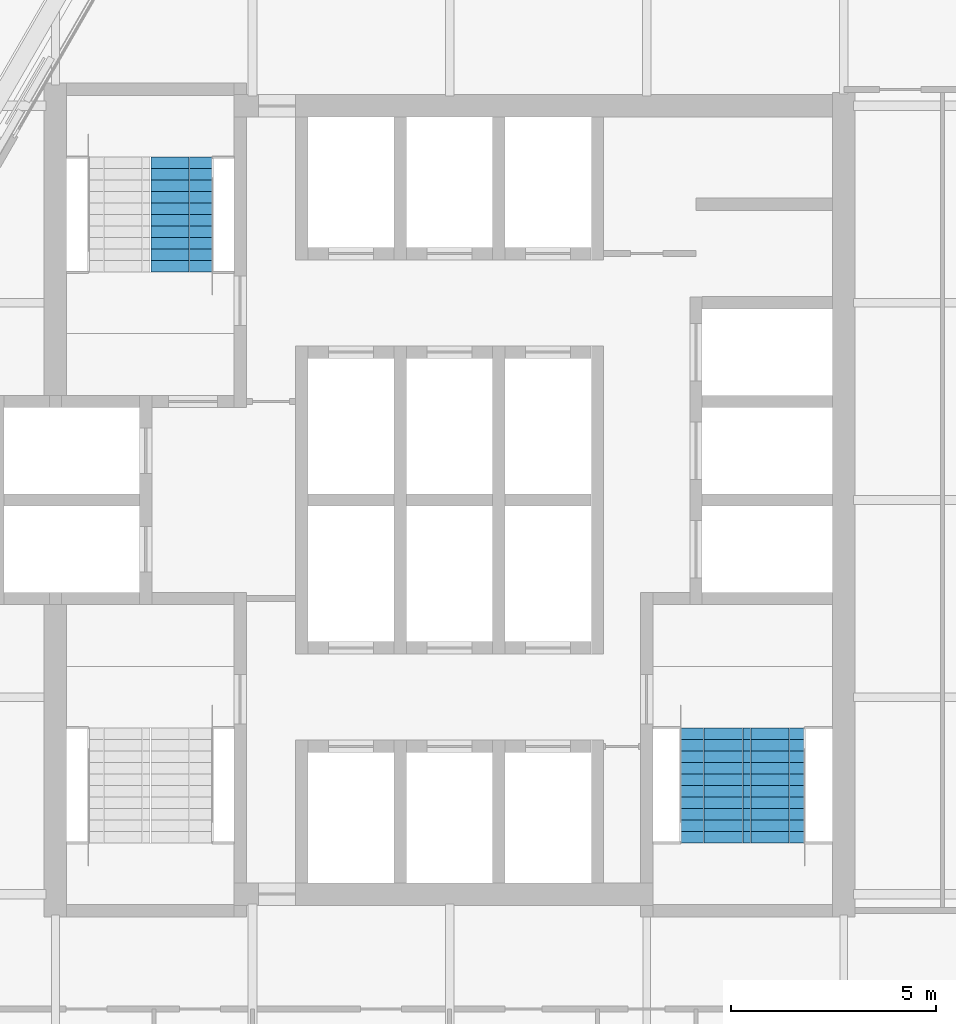
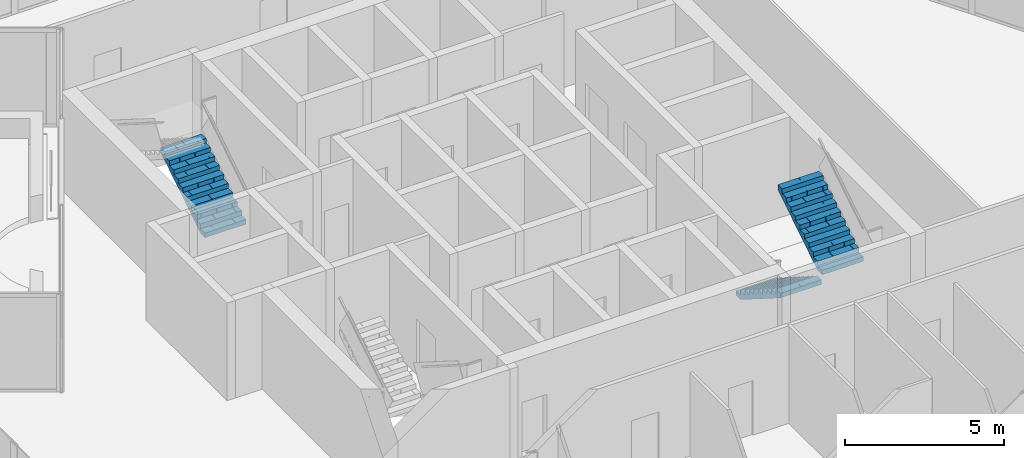
# One storey, part 14 of 16: 3 stair flights, 2 elements without a shape of their own.
"""IFC4 building model written with IfcOpenShell, lengths in metres."""

from ifc_helpers import new_model, si_unit, direction, frame, origin, place, context, subcontext, project, spatial, polyline, outline, extrude, material, type_object, element, aggregate, save


model = new_model("IFC4")

# Units and contexts
model_context = context("Model", 3, precision=1e-05, world=origin(), true_north=direction((0.0, 1.0)))
body_context = subcontext(model_context, "Body", "Model", "MODEL_VIEW")
ifc_project = project(units=[si_unit("LENGTHUNIT", "METRE"), si_unit("AREAUNIT", "SQUARE_METRE"), si_unit("VOLUMEUNIT", "CUBIC_METRE"), si_unit("PLANEANGLEUNIT", "RADIAN"), si_unit("MASSUNIT", "GRAM", prefix="KILO")], contexts=[model_context])

# Site, building, storey
site_placement = place(None, origin())
site = spatial("IfcSite", under=ifc_project, at=site_placement, CompositionType="ELEMENT")
building_placement = place(site_placement, origin())
building = spatial("IfcBuilding", under=site, at=building_placement, Name="Kolab Exchange Tower", CompositionType="ELEMENT")
storey_placement = place(building_placement, frame((0.0, 0.0, 254.0)))
storey = spatial("IfcBuildingStorey", under=building, at=storey_placement, Name="L56", CompositionType="ELEMENT", Elevation=254.0)

# Stair, stair flight
ifc_material = material(Name="Concrete C50/60", Category="concrete")
stair_type_1 = type_object("IfcStairType", Name="STAIR ST1 RISER 177.3", PredefinedType="HALF_TURN_STAIR", material=ifc_material)
stair_1_placement = place(storey_placement, origin())
stair_1 = element("IfcStair", 1, at=stair_1_placement, inside=storey, type_object=stair_type_1, Name="Stair 1", PredefinedType="HALF_TURN_STAIR")
stair_flight_type = type_object("IfcStairFlightType", Name="STAIR FLIGHT 1500 RISER 177.3", PredefinedType="STRAIGHT", material=ifc_material)
stair_flight_1_placement = place(storey_placement, frame((-6.527587890625, 5.550048828125, 0.0), z_axis=(0.0, 0.0, 1.0), x_axis=(0.0, 1.0, 0.0)))
stair_flight_1 = element("IfcStairFlight", 2, at=stair_flight_1_placement, type_object=stair_flight_type, Name="ST1 flight 1", NumberOfRisers=11, NumberOfTreads=10, PredefinedType="STRAIGHT", RiserHeight=0.177272727, TreadLength=0.28, context=body_context, shape_type="SweptSolid", body=[
    extrude(outline(polyline([(0.0, 0.0), (0.0, 0.17724609375), (0.280029296875, 0.17724609375), (0.280029296875, 0.3544921875), (0.56005859375, 0.3544921875), (0.56005859375, 0.53173828125), (0.840087890625, 0.53173828125), (0.840087890625, 0.708984375), (1.1201171875, 0.708984375), (1.1201171875, 0.886474609375), (1.39990234375, 0.886474609375), (1.39990234375, 1.063720703125), (1.679931640625, 1.063720703125), (1.679931640625, 1.240966796875), (1.9599609375, 1.240966796875), (1.9599609375, 1.418212890625), (2.239990234375, 1.418212890625), (2.239990234375, 1.595458984375), (2.52001953125, 1.595458984375), (2.52001953125, 1.772705078125), (2.800048828125, 1.772705078125), (2.800048828125, 1.949951171875), (2.800048828125, 1.59521484375), (0.2802734375, 0.0), (0.0, 0.0)])), frame((0.0, 0.75, 0.0), z_axis=(0.0, -1.0, 0.0), x_axis=(1.0, 0.0, 0.0)), (0.0, 0.0, 1.0), 0.185791015625),
    extrude(outline(polyline([(0.0, 0.0), (0.0, 0.17724609375), (0.280029296875, 0.17724609375), (0.280029296875, 0.3544921875), (0.56005859375, 0.3544921875), (0.56005859375, 0.53173828125), (0.840087890625, 0.53173828125), (0.840087890625, 0.708984375), (1.1201171875, 0.708984375), (1.1201171875, 0.886474609375), (1.39990234375, 0.886474609375), (1.39990234375, 1.063720703125), (1.679931640625, 1.063720703125), (1.679931640625, 1.240966796875), (1.9599609375, 1.240966796875), (1.9599609375, 1.418212890625), (2.239990234375, 1.418212890625), (2.239990234375, 1.595458984375), (2.52001953125, 1.595458984375), (2.52001953125, 1.772705078125), (2.800048828125, 1.772705078125), (2.800048828125, 1.949951171875), (2.800048828125, 1.59521484375), (0.2802734375, 0.0), (0.0, 0.0)])), frame((0.0, 0.562255859375, 0.0), z_axis=(0.0, -1.0, 0.0), x_axis=(1.0, 0.0, 0.0)), (0.0, 0.0, 1.0), 0.185791015625),
    extrude(outline(polyline([(0.0, 0.0), (0.0, 0.17724609375), (0.280029296875, 0.17724609375), (0.280029296875, 0.3544921875), (0.56005859375, 0.3544921875), (0.56005859375, 0.53173828125), (0.840087890625, 0.53173828125), (0.840087890625, 0.708984375), (1.1201171875, 0.708984375), (1.1201171875, 0.886474609375), (1.39990234375, 0.886474609375), (1.39990234375, 1.063720703125), (1.679931640625, 1.063720703125), (1.679931640625, 1.240966796875), (1.9599609375, 1.240966796875), (1.9599609375, 1.418212890625), (2.239990234375, 1.418212890625), (2.239990234375, 1.595458984375), (2.52001953125, 1.595458984375), (2.52001953125, 1.772705078125), (2.800048828125, 1.772705078125), (2.800048828125, 1.949951171875), (2.800048828125, 1.59521484375), (0.2802734375, 0.0), (0.0, 0.0)])), frame((0.0, 0.37451171875, 0.0), z_axis=(0.0, -1.0, 0.0), x_axis=(1.0, 0.0, 0.0)), (0.0, 0.0, 1.0), 0.185791015625),
    extrude(outline(polyline([(0.0, 0.0), (0.0, 0.17724609375), (0.280029296875, 0.17724609375), (0.280029296875, 0.3544921875), (0.56005859375, 0.3544921875), (0.56005859375, 0.53173828125), (0.840087890625, 0.53173828125), (0.840087890625, 0.708984375), (1.1201171875, 0.708984375), (1.1201171875, 0.886474609375), (1.39990234375, 0.886474609375), (1.39990234375, 1.063720703125), (1.679931640625, 1.063720703125), (1.679931640625, 1.240966796875), (1.9599609375, 1.240966796875), (1.9599609375, 1.418212890625), (2.239990234375, 1.418212890625), (2.239990234375, 1.595458984375), (2.52001953125, 1.595458984375), (2.52001953125, 1.772705078125), (2.800048828125, 1.772705078125), (2.800048828125, 1.949951171875), (2.800048828125, 1.59521484375), (0.2802734375, 0.0), (0.0, 0.0)])), frame((0.0, 0.186767578125, 0.0), z_axis=(0.0, -1.0, 0.0), x_axis=(1.0, 0.0, 0.0)), (0.0, 0.0, 1.0), 0.185791015625),
    extrude(outline(polyline([(0.0, 0.0), (0.0, 0.17724609375), (0.280029296875, 0.17724609375), (0.280029296875, 0.3544921875), (0.56005859375, 0.3544921875), (0.56005859375, 0.53173828125), (0.840087890625, 0.53173828125), (0.840087890625, 0.708984375), (1.1201171875, 0.708984375), (1.1201171875, 0.886474609375), (1.39990234375, 0.886474609375), (1.39990234375, 1.063720703125), (1.679931640625, 1.063720703125), (1.679931640625, 1.240966796875), (1.9599609375, 1.240966796875), (1.9599609375, 1.418212890625), (2.239990234375, 1.418212890625), (2.239990234375, 1.595458984375), (2.52001953125, 1.595458984375), (2.52001953125, 1.772705078125), (2.800048828125, 1.772705078125), (2.800048828125, 1.949951171875), (2.800048828125, 1.59521484375), (0.2802734375, 0.0), (0.0, 0.0)])), frame((0.0, -0.0009765625, 0.0), z_axis=(0.0, -1.0, 0.0), x_axis=(1.0, 0.0, 0.0)), (0.0, 0.0, 1.0), 0.185791015625),
    extrude(outline(polyline([(0.0, 0.0), (0.0, 0.17724609375), (0.280029296875, 0.17724609375), (0.280029296875, 0.3544921875), (0.56005859375, 0.3544921875), (0.56005859375, 0.53173828125), (0.840087890625, 0.53173828125), (0.840087890625, 0.708984375), (1.1201171875, 0.708984375), (1.1201171875, 0.886474609375), (1.39990234375, 0.886474609375), (1.39990234375, 1.063720703125), (1.679931640625, 1.063720703125), (1.679931640625, 1.240966796875), (1.9599609375, 1.240966796875), (1.9599609375, 1.418212890625), (2.239990234375, 1.418212890625), (2.239990234375, 1.595458984375), (2.52001953125, 1.595458984375), (2.52001953125, 1.772705078125), (2.800048828125, 1.772705078125), (2.800048828125, 1.949951171875), (2.800048828125, 1.59521484375), (0.2802734375, 0.0), (0.0, 0.0)])), frame((0.0, -0.188720703125, 0.0), z_axis=(0.0, -1.0, 0.0), x_axis=(1.0, 0.0, 0.0)), (0.0, 0.0, 1.0), 0.185791015625),
    extrude(outline(polyline([(0.0, 0.0), (0.0, 0.17724609375), (0.280029296875, 0.17724609375), (0.280029296875, 0.3544921875), (0.56005859375, 0.3544921875), (0.56005859375, 0.53173828125), (0.840087890625, 0.53173828125), (0.840087890625, 0.708984375), (1.1201171875, 0.708984375), (1.1201171875, 0.886474609375), (1.39990234375, 0.886474609375), (1.39990234375, 1.063720703125), (1.679931640625, 1.063720703125), (1.679931640625, 1.240966796875), (1.9599609375, 1.240966796875), (1.9599609375, 1.418212890625), (2.239990234375, 1.418212890625), (2.239990234375, 1.595458984375), (2.52001953125, 1.595458984375), (2.52001953125, 1.772705078125), (2.800048828125, 1.772705078125), (2.800048828125, 1.949951171875), (2.800048828125, 1.59521484375), (0.2802734375, 0.0), (0.0, 0.0)])), frame((0.0, -0.37646484375, 0.0), z_axis=(0.0, -1.0, 0.0), x_axis=(1.0, 0.0, 0.0)), (0.0, 0.0, 1.0), 0.185791015625),
    extrude(outline(polyline([(0.0, 0.0), (0.0, 0.17724609375), (0.280029296875, 0.17724609375), (0.280029296875, 0.3544921875), (0.56005859375, 0.3544921875), (0.56005859375, 0.53173828125), (0.840087890625, 0.53173828125), (0.840087890625, 0.708984375), (1.1201171875, 0.708984375), (1.1201171875, 0.886474609375), (1.39990234375, 0.886474609375), (1.39990234375, 1.063720703125), (1.679931640625, 1.063720703125), (1.679931640625, 1.240966796875), (1.9599609375, 1.240966796875), (1.9599609375, 1.418212890625), (2.239990234375, 1.418212890625), (2.239990234375, 1.595458984375), (2.52001953125, 1.595458984375), (2.52001953125, 1.772705078125), (2.800048828125, 1.772705078125), (2.800048828125, 1.949951171875), (2.800048828125, 1.59521484375), (0.2802734375, 0.0), (0.0, 0.0)])), frame((0.0, -0.564208984375, 0.0), z_axis=(0.0, -1.0, 0.0), x_axis=(1.0, 0.0, 0.0)), (0.0, 0.0, 1.0), 0.185791015625),
])
aggregate(stair_1, [stair_flight_1])

# Stair, stair flights
stair_type_2 = type_object("IfcStairType", Name="STAIR ST2 RISER 177.3", PredefinedType="HALF_TURN_STAIR", material=ifc_material)
stair_2_placement = place(storey_placement, origin())
stair_2 = element("IfcStair", 3, at=stair_2_placement, inside=storey, type_object=stair_type_2, Name="Stair 2", PredefinedType="HALF_TURN_STAIR")
stair_flight_2_placement = place(storey_placement, frame((6.37744140625, -5.550048828125, 0.0), z_axis=(0.0, 0.0, 1.0), x_axis=(0.0, -1.0, 0.0)))
stair_flight_2 = element("IfcStairFlight", 4, at=stair_flight_2_placement, type_object=stair_flight_type, Name="ST2 flight 1", NumberOfRisers=11, NumberOfTreads=10, PredefinedType="STRAIGHT", RiserHeight=0.177272727, TreadLength=0.28, context=body_context, shape_type="SweptSolid", body=[
    extrude(outline(polyline([(0.0, 0.0), (0.0, 0.17724609375), (0.280029296875, 0.17724609375), (0.280029296875, 0.3544921875), (0.56005859375, 0.3544921875), (0.56005859375, 0.53173828125), (0.840087890625, 0.53173828125), (0.840087890625, 0.708984375), (1.1201171875, 0.708984375), (1.1201171875, 0.886474609375), (1.39990234375, 0.886474609375), (1.39990234375, 1.063720703125), (1.679931640625, 1.063720703125), (1.679931640625, 1.240966796875), (1.9599609375, 1.240966796875), (1.9599609375, 1.418212890625), (2.239990234375, 1.418212890625), (2.239990234375, 1.595458984375), (2.52001953125, 1.595458984375), (2.52001953125, 1.772705078125), (2.800048828125, 1.772705078125), (2.800048828125, 1.949951171875), (2.800048828125, 1.59521484375), (0.2802734375, 0.0), (0.0, 0.0)])), frame((0.0, 0.75, 0.0), z_axis=(0.0, -1.0, 0.0), x_axis=(1.0, 0.0, 0.0)), (0.0, 0.0, 1.0), 0.185791015625),
    extrude(outline(polyline([(0.0, 0.0), (0.0, 0.17724609375), (0.280029296875, 0.17724609375), (0.280029296875, 0.3544921875), (0.56005859375, 0.3544921875), (0.56005859375, 0.53173828125), (0.840087890625, 0.53173828125), (0.840087890625, 0.708984375), (1.1201171875, 0.708984375), (1.1201171875, 0.886474609375), (1.39990234375, 0.886474609375), (1.39990234375, 1.063720703125), (1.679931640625, 1.063720703125), (1.679931640625, 1.240966796875), (1.9599609375, 1.240966796875), (1.9599609375, 1.418212890625), (2.239990234375, 1.418212890625), (2.239990234375, 1.595458984375), (2.52001953125, 1.595458984375), (2.52001953125, 1.772705078125), (2.800048828125, 1.772705078125), (2.800048828125, 1.949951171875), (2.800048828125, 1.59521484375), (0.2802734375, 0.0), (0.0, 0.0)])), frame((0.0, 0.562255859375, 0.0), z_axis=(0.0, -1.0, 0.0), x_axis=(1.0, 0.0, 0.0)), (0.0, 0.0, 1.0), 0.185791015625),
    extrude(outline(polyline([(0.0, 0.0), (0.0, 0.17724609375), (0.280029296875, 0.17724609375), (0.280029296875, 0.3544921875), (0.56005859375, 0.3544921875), (0.56005859375, 0.53173828125), (0.840087890625, 0.53173828125), (0.840087890625, 0.708984375), (1.1201171875, 0.708984375), (1.1201171875, 0.886474609375), (1.39990234375, 0.886474609375), (1.39990234375, 1.063720703125), (1.679931640625, 1.063720703125), (1.679931640625, 1.240966796875), (1.9599609375, 1.240966796875), (1.9599609375, 1.418212890625), (2.239990234375, 1.418212890625), (2.239990234375, 1.595458984375), (2.52001953125, 1.595458984375), (2.52001953125, 1.772705078125), (2.800048828125, 1.772705078125), (2.800048828125, 1.949951171875), (2.800048828125, 1.59521484375), (0.2802734375, 0.0), (0.0, 0.0)])), frame((0.0, 0.37451171875, 0.0), z_axis=(0.0, -1.0, 0.0), x_axis=(1.0, 0.0, 0.0)), (0.0, 0.0, 1.0), 0.185791015625),
    extrude(outline(polyline([(0.0, 0.0), (0.0, 0.17724609375), (0.280029296875, 0.17724609375), (0.280029296875, 0.3544921875), (0.56005859375, 0.3544921875), (0.56005859375, 0.53173828125), (0.840087890625, 0.53173828125), (0.840087890625, 0.708984375), (1.1201171875, 0.708984375), (1.1201171875, 0.886474609375), (1.39990234375, 0.886474609375), (1.39990234375, 1.063720703125), (1.679931640625, 1.063720703125), (1.679931640625, 1.240966796875), (1.9599609375, 1.240966796875), (1.9599609375, 1.418212890625), (2.239990234375, 1.418212890625), (2.239990234375, 1.595458984375), (2.52001953125, 1.595458984375), (2.52001953125, 1.772705078125), (2.800048828125, 1.772705078125), (2.800048828125, 1.949951171875), (2.800048828125, 1.59521484375), (0.2802734375, 0.0), (0.0, 0.0)])), frame((0.0, 0.186767578125, 0.0), z_axis=(0.0, -1.0, 0.0), x_axis=(1.0, 0.0, 0.0)), (0.0, 0.0, 1.0), 0.185791015625),
    extrude(outline(polyline([(0.0, 0.0), (0.0, 0.17724609375), (0.280029296875, 0.17724609375), (0.280029296875, 0.3544921875), (0.56005859375, 0.3544921875), (0.56005859375, 0.53173828125), (0.840087890625, 0.53173828125), (0.840087890625, 0.708984375), (1.1201171875, 0.708984375), (1.1201171875, 0.886474609375), (1.39990234375, 0.886474609375), (1.39990234375, 1.063720703125), (1.679931640625, 1.063720703125), (1.679931640625, 1.240966796875), (1.9599609375, 1.240966796875), (1.9599609375, 1.418212890625), (2.239990234375, 1.418212890625), (2.239990234375, 1.595458984375), (2.52001953125, 1.595458984375), (2.52001953125, 1.772705078125), (2.800048828125, 1.772705078125), (2.800048828125, 1.949951171875), (2.800048828125, 1.59521484375), (0.2802734375, 0.0), (0.0, 0.0)])), frame((0.0, -0.0009765625, 0.0), z_axis=(0.0, -1.0, 0.0), x_axis=(1.0, 0.0, 0.0)), (0.0, 0.0, 1.0), 0.185791015625),
    extrude(outline(polyline([(0.0, 0.0), (0.0, 0.17724609375), (0.280029296875, 0.17724609375), (0.280029296875, 0.3544921875), (0.56005859375, 0.3544921875), (0.56005859375, 0.53173828125), (0.840087890625, 0.53173828125), (0.840087890625, 0.708984375), (1.1201171875, 0.708984375), (1.1201171875, 0.886474609375), (1.39990234375, 0.886474609375), (1.39990234375, 1.063720703125), (1.679931640625, 1.063720703125), (1.679931640625, 1.240966796875), (1.9599609375, 1.240966796875), (1.9599609375, 1.418212890625), (2.239990234375, 1.418212890625), (2.239990234375, 1.595458984375), (2.52001953125, 1.595458984375), (2.52001953125, 1.772705078125), (2.800048828125, 1.772705078125), (2.800048828125, 1.949951171875), (2.800048828125, 1.59521484375), (0.2802734375, 0.0), (0.0, 0.0)])), frame((0.0, -0.188720703125, 0.0), z_axis=(0.0, -1.0, 0.0), x_axis=(1.0, 0.0, 0.0)), (0.0, 0.0, 1.0), 0.185791015625),
    extrude(outline(polyline([(0.0, 0.0), (0.0, 0.17724609375), (0.280029296875, 0.17724609375), (0.280029296875, 0.3544921875), (0.56005859375, 0.3544921875), (0.56005859375, 0.53173828125), (0.840087890625, 0.53173828125), (0.840087890625, 0.708984375), (1.1201171875, 0.708984375), (1.1201171875, 0.886474609375), (1.39990234375, 0.886474609375), (1.39990234375, 1.063720703125), (1.679931640625, 1.063720703125), (1.679931640625, 1.240966796875), (1.9599609375, 1.240966796875), (1.9599609375, 1.418212890625), (2.239990234375, 1.418212890625), (2.239990234375, 1.595458984375), (2.52001953125, 1.595458984375), (2.52001953125, 1.772705078125), (2.800048828125, 1.772705078125), (2.800048828125, 1.949951171875), (2.800048828125, 1.59521484375), (0.2802734375, 0.0), (0.0, 0.0)])), frame((0.0, -0.37646484375, 0.0), z_axis=(0.0, -1.0, 0.0), x_axis=(1.0, 0.0, 0.0)), (0.0, 0.0, 1.0), 0.185791015625),
    extrude(outline(polyline([(0.0, 0.0), (0.0, 0.17724609375), (0.280029296875, 0.17724609375), (0.280029296875, 0.3544921875), (0.56005859375, 0.3544921875), (0.56005859375, 0.53173828125), (0.840087890625, 0.53173828125), (0.840087890625, 0.708984375), (1.1201171875, 0.708984375), (1.1201171875, 0.886474609375), (1.39990234375, 0.886474609375), (1.39990234375, 1.063720703125), (1.679931640625, 1.063720703125), (1.679931640625, 1.240966796875), (1.9599609375, 1.240966796875), (1.9599609375, 1.418212890625), (2.239990234375, 1.418212890625), (2.239990234375, 1.595458984375), (2.52001953125, 1.595458984375), (2.52001953125, 1.772705078125), (2.800048828125, 1.772705078125), (2.800048828125, 1.949951171875), (2.800048828125, 1.59521484375), (0.2802734375, 0.0), (0.0, 0.0)])), frame((0.0, -0.564208984375, 0.0), z_axis=(0.0, -1.0, 0.0), x_axis=(1.0, 0.0, 0.0)), (0.0, 0.0, 1.0), 0.185791015625),
])
stair_flight_3_placement = place(storey_placement, frame((7.8974609375, -8.35009765625, 1.949951171875), z_axis=(0.0, 0.0, 1.0), x_axis=(0.0, 1.0, 0.0)))
stair_flight_3 = element("IfcStairFlight", 5, at=stair_flight_3_placement, type_object=stair_flight_type, Name="ST2 flight 2", NumberOfRisers=11, NumberOfTreads=10, PredefinedType="STRAIGHT", RiserHeight=0.177272727, TreadLength=0.28, context=body_context, shape_type="SweptSolid", body=[
    extrude(outline(polyline([(0.0, 0.0), (0.0, 0.17724609375), (0.280029296875, 0.17724609375), (0.280029296875, 0.3544921875), (0.56005859375, 0.3544921875), (0.56005859375, 0.53173828125), (0.840087890625, 0.53173828125), (0.840087890625, 0.708984375), (1.1201171875, 0.708984375), (1.1201171875, 0.886474609375), (1.39990234375, 0.886474609375), (1.39990234375, 1.063720703125), (1.679931640625, 1.063720703125), (1.679931640625, 1.240966796875), (1.9599609375, 1.240966796875), (1.9599609375, 1.418212890625), (2.239990234375, 1.418212890625), (2.239990234375, 1.595458984375), (2.52001953125, 1.595458984375), (2.52001953125, 1.772705078125), (2.800048828125, 1.772705078125), (2.800048828125, 1.949951171875), (2.800048828125, 1.59521484375), (0.2802734375, 0.0), (0.0, 0.0)])), frame((0.0, 0.75, 0.0), z_axis=(0.0, -1.0, 0.0), x_axis=(1.0, 0.0, 0.0)), (0.0, 0.0, 1.0), 0.185791015625),
    extrude(outline(polyline([(0.0, 0.0), (0.0, 0.17724609375), (0.280029296875, 0.17724609375), (0.280029296875, 0.3544921875), (0.56005859375, 0.3544921875), (0.56005859375, 0.53173828125), (0.840087890625, 0.53173828125), (0.840087890625, 0.708984375), (1.1201171875, 0.708984375), (1.1201171875, 0.886474609375), (1.39990234375, 0.886474609375), (1.39990234375, 1.063720703125), (1.679931640625, 1.063720703125), (1.679931640625, 1.240966796875), (1.9599609375, 1.240966796875), (1.9599609375, 1.418212890625), (2.239990234375, 1.418212890625), (2.239990234375, 1.595458984375), (2.52001953125, 1.595458984375), (2.52001953125, 1.772705078125), (2.800048828125, 1.772705078125), (2.800048828125, 1.949951171875), (2.800048828125, 1.59521484375), (0.2802734375, 0.0), (0.0, 0.0)])), frame((0.0, 0.562255859375, 0.0), z_axis=(0.0, -1.0, 0.0), x_axis=(1.0, 0.0, 0.0)), (0.0, 0.0, 1.0), 0.185791015625),
    extrude(outline(polyline([(0.0, 0.0), (0.0, 0.17724609375), (0.280029296875, 0.17724609375), (0.280029296875, 0.3544921875), (0.56005859375, 0.3544921875), (0.56005859375, 0.53173828125), (0.840087890625, 0.53173828125), (0.840087890625, 0.708984375), (1.1201171875, 0.708984375), (1.1201171875, 0.886474609375), (1.39990234375, 0.886474609375), (1.39990234375, 1.063720703125), (1.679931640625, 1.063720703125), (1.679931640625, 1.240966796875), (1.9599609375, 1.240966796875), (1.9599609375, 1.418212890625), (2.239990234375, 1.418212890625), (2.239990234375, 1.595458984375), (2.52001953125, 1.595458984375), (2.52001953125, 1.772705078125), (2.800048828125, 1.772705078125), (2.800048828125, 1.949951171875), (2.800048828125, 1.59521484375), (0.2802734375, 0.0), (0.0, 0.0)])), frame((0.0, 0.37451171875, 0.0), z_axis=(0.0, -1.0, 0.0), x_axis=(1.0, 0.0, 0.0)), (0.0, 0.0, 1.0), 0.185791015625),
    extrude(outline(polyline([(0.0, 0.0), (0.0, 0.17724609375), (0.280029296875, 0.17724609375), (0.280029296875, 0.3544921875), (0.56005859375, 0.3544921875), (0.56005859375, 0.53173828125), (0.840087890625, 0.53173828125), (0.840087890625, 0.708984375), (1.1201171875, 0.708984375), (1.1201171875, 0.886474609375), (1.39990234375, 0.886474609375), (1.39990234375, 1.063720703125), (1.679931640625, 1.063720703125), (1.679931640625, 1.240966796875), (1.9599609375, 1.240966796875), (1.9599609375, 1.418212890625), (2.239990234375, 1.418212890625), (2.239990234375, 1.595458984375), (2.52001953125, 1.595458984375), (2.52001953125, 1.772705078125), (2.800048828125, 1.772705078125), (2.800048828125, 1.949951171875), (2.800048828125, 1.59521484375), (0.2802734375, 0.0), (0.0, 0.0)])), frame((0.0, 0.186767578125, 0.0), z_axis=(0.0, -1.0, 0.0), x_axis=(1.0, 0.0, 0.0)), (0.0, 0.0, 1.0), 0.185791015625),
    extrude(outline(polyline([(0.0, 0.0), (0.0, 0.17724609375), (0.280029296875, 0.17724609375), (0.280029296875, 0.3544921875), (0.56005859375, 0.3544921875), (0.56005859375, 0.53173828125), (0.840087890625, 0.53173828125), (0.840087890625, 0.708984375), (1.1201171875, 0.708984375), (1.1201171875, 0.886474609375), (1.39990234375, 0.886474609375), (1.39990234375, 1.063720703125), (1.679931640625, 1.063720703125), (1.679931640625, 1.240966796875), (1.9599609375, 1.240966796875), (1.9599609375, 1.418212890625), (2.239990234375, 1.418212890625), (2.239990234375, 1.595458984375), (2.52001953125, 1.595458984375), (2.52001953125, 1.772705078125), (2.800048828125, 1.772705078125), (2.800048828125, 1.949951171875), (2.800048828125, 1.59521484375), (0.2802734375, 0.0), (0.0, 0.0)])), frame((0.0, -0.0009765625, 0.0), z_axis=(0.0, -1.0, 0.0), x_axis=(1.0, 0.0, 0.0)), (0.0, 0.0, 1.0), 0.185791015625),
    extrude(outline(polyline([(0.0, 0.0), (0.0, 0.17724609375), (0.280029296875, 0.17724609375), (0.280029296875, 0.3544921875), (0.56005859375, 0.3544921875), (0.56005859375, 0.53173828125), (0.840087890625, 0.53173828125), (0.840087890625, 0.708984375), (1.1201171875, 0.708984375), (1.1201171875, 0.886474609375), (1.39990234375, 0.886474609375), (1.39990234375, 1.063720703125), (1.679931640625, 1.063720703125), (1.679931640625, 1.240966796875), (1.9599609375, 1.240966796875), (1.9599609375, 1.418212890625), (2.239990234375, 1.418212890625), (2.239990234375, 1.595458984375), (2.52001953125, 1.595458984375), (2.52001953125, 1.772705078125), (2.800048828125, 1.772705078125), (2.800048828125, 1.949951171875), (2.800048828125, 1.59521484375), (0.2802734375, 0.0), (0.0, 0.0)])), frame((0.0, -0.188720703125, 0.0), z_axis=(0.0, -1.0, 0.0), x_axis=(1.0, 0.0, 0.0)), (0.0, 0.0, 1.0), 0.185791015625),
    extrude(outline(polyline([(0.0, 0.0), (0.0, 0.17724609375), (0.280029296875, 0.17724609375), (0.280029296875, 0.3544921875), (0.56005859375, 0.3544921875), (0.56005859375, 0.53173828125), (0.840087890625, 0.53173828125), (0.840087890625, 0.708984375), (1.1201171875, 0.708984375), (1.1201171875, 0.886474609375), (1.39990234375, 0.886474609375), (1.39990234375, 1.063720703125), (1.679931640625, 1.063720703125), (1.679931640625, 1.240966796875), (1.9599609375, 1.240966796875), (1.9599609375, 1.418212890625), (2.239990234375, 1.418212890625), (2.239990234375, 1.595458984375), (2.52001953125, 1.595458984375), (2.52001953125, 1.772705078125), (2.800048828125, 1.772705078125), (2.800048828125, 1.949951171875), (2.800048828125, 1.59521484375), (0.2802734375, 0.0), (0.0, 0.0)])), frame((0.0, -0.37646484375, 0.0), z_axis=(0.0, -1.0, 0.0), x_axis=(1.0, 0.0, 0.0)), (0.0, 0.0, 1.0), 0.185791015625),
    extrude(outline(polyline([(0.0, 0.0), (0.0, 0.17724609375), (0.280029296875, 0.17724609375), (0.280029296875, 0.3544921875), (0.56005859375, 0.3544921875), (0.56005859375, 0.53173828125), (0.840087890625, 0.53173828125), (0.840087890625, 0.708984375), (1.1201171875, 0.708984375), (1.1201171875, 0.886474609375), (1.39990234375, 0.886474609375), (1.39990234375, 1.063720703125), (1.679931640625, 1.063720703125), (1.679931640625, 1.240966796875), (1.9599609375, 1.240966796875), (1.9599609375, 1.418212890625), (2.239990234375, 1.418212890625), (2.239990234375, 1.595458984375), (2.52001953125, 1.595458984375), (2.52001953125, 1.772705078125), (2.800048828125, 1.772705078125), (2.800048828125, 1.949951171875), (2.800048828125, 1.59521484375), (0.2802734375, 0.0), (0.0, 0.0)])), frame((0.0, -0.564208984375, 0.0), z_axis=(0.0, -1.0, 0.0), x_axis=(1.0, 0.0, 0.0)), (0.0, 0.0, 1.0), 0.185791015625),
])
aggregate(stair_2, [stair_flight_2, stair_flight_3])

save(model, "model.ifc")
